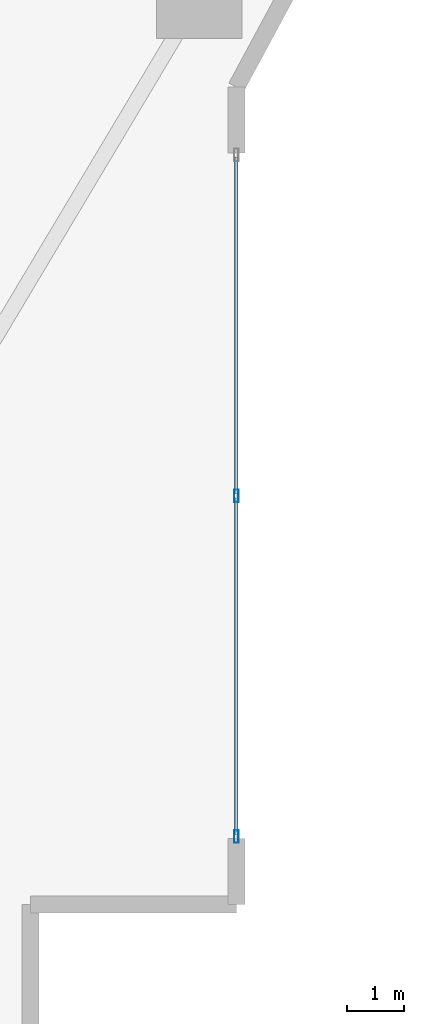
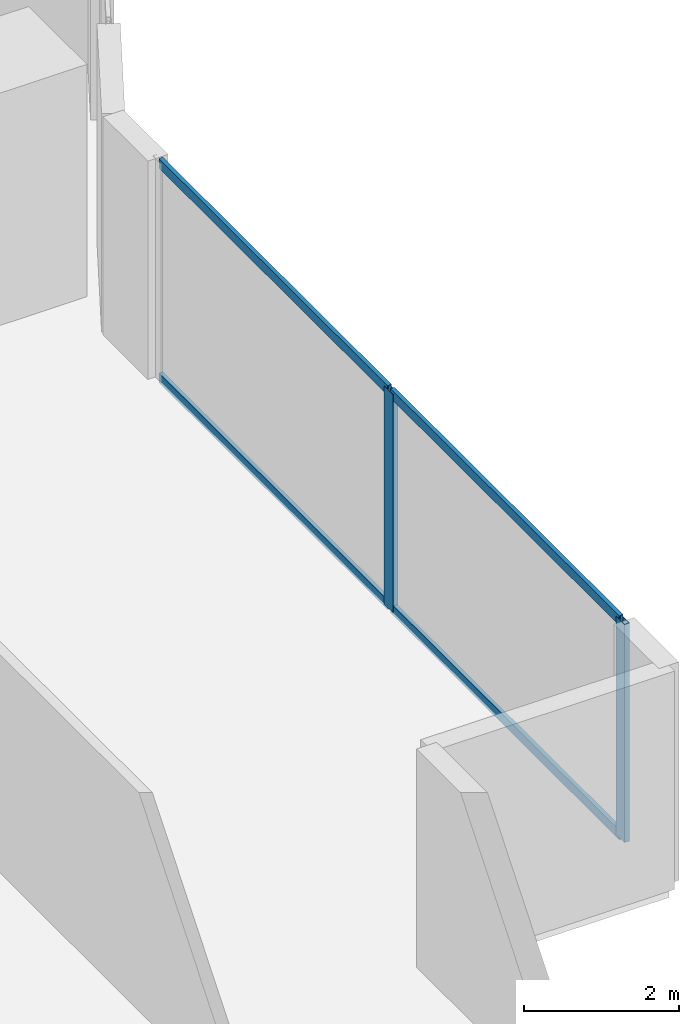
# One storey, part 10 of 28: 6 members, 1 element without a shape of its own.
"""IFC4 building model written with IfcOpenShell, lengths in metres."""

from ifc_helpers import new_model, si_unit, direction, frame, origin, origin_2d, place, context, subcontext, project, spatial, hollow_rectangle, extrude, material, layer, layer_set, material_profile, profile_set, type_object, element, aggregate, save


model = new_model("IFC4")

# Units and contexts
model_context = context("Model", 3, precision=1e-05, world=origin(), true_north=direction((0.0, 1.0)))
body_context = subcontext(model_context, "Body", "Model", "MODEL_VIEW")
ifc_project = project(units=[si_unit("LENGTHUNIT", "METRE"), si_unit("AREAUNIT", "SQUARE_METRE"), si_unit("VOLUMEUNIT", "CUBIC_METRE"), si_unit("PLANEANGLEUNIT", "RADIAN"), si_unit("MASSUNIT", "GRAM", prefix="KILO")], contexts=[model_context])

# Site, building, storey
site_placement = place(None, origin())
site = spatial("IfcSite", under=ifc_project, at=site_placement, CompositionType="ELEMENT")
building_placement = place(site_placement, origin())
building = spatial("IfcBuilding", under=site, at=building_placement, Name="Zuhayl Quay Hotel", CompositionType="ELEMENT")
storey_placement = place(building_placement, frame((0.0, 0.0, 71.39990234375)))
storey = spatial("IfcBuildingStorey", under=building, at=storey_placement, Name="L17", CompositionType="ELEMENT", Elevation=71.39990234375)

# Curtain wall, members
ifc_material_1 = material(Name="Anodised Aluminium 6063-T6", Category="aluminium")
ifc_layer = layer(ifc_material_1, 0.18994140625, Name="Anodised Aluminium 6063-T6", Category="aluminium")
ifc_layer_set = layer_set([ifc_layer], Name="Anodised Aluminium 6063-T6")
curtain_wall_type = type_object("IfcCurtainWallType", Name="CW_SYS_Z1", PredefinedType="USERDEFINED", material=ifc_layer_set)
curtain_wall_placement = place(storey_placement, origin())
curtain_wall = element("IfcCurtainWall", 1, at=curtain_wall_placement, inside=storey, type_object=curtain_wall_type, Name="L17 Curtain Wall ENV_L17_E14_CW1", ObjectType="UNITISED CURTAIN WALL", PredefinedType="USERDEFINED")
ifc_material_2 = material(Name="Black-anodised aluminium 6063-T6", Category="aluminium")
ifc_material_profile_1 = material_profile(ifc_material_2, hollow_rectangle(XDim=0.074951171875, YDim=0.219970703125, WallThickness=0.00390625, at=origin_2d()), Name="ALU220X75")
ifc_profile_set_1 = profile_set([ifc_material_profile_1], Name="Black-anodised aluminium 6063-T6")
member_type_1 = type_object("IfcMemberType", Name="MB_CW_MUL_220", PredefinedType="MULLION", material=ifc_profile_set_1)
member_1_placement = place(storey_placement, frame((25.699951171875, -12.35009765625, 0.0), z_axis=(0.0, 0.0, 1.0), x_axis=(1.0, 0.0, 0.0)))
member_1 = element("IfcMember", 2, at=member_1_placement, type_object=member_type_1, Name="CW-Z1 mullion 2", PredefinedType="MULLION", context=body_context, shape_type="SweptSolid", body=[
    extrude(hollow_rectangle(XDim=0.074951171875, YDim=0.219970703125, WallThickness=0.00390625, at=origin_2d()), origin(), (0.0, 0.0, 1.0), 3.43017578125),
])
member_2_placement = place(storey_placement, frame((25.699951171875, -18.3125, 0.0), z_axis=(0.0, 0.0, 1.0), x_axis=(1.0, 0.0, 0.0)))
member_2 = element("IfcMember", 3, at=member_2_placement, type_object=member_type_1, Name="CW-Z1 mullion 3", PredefinedType="MULLION", context=body_context, shape_type="SweptSolid", body=[
    extrude(hollow_rectangle(XDim=0.074951171875, YDim=0.219970703125, WallThickness=0.00390625, at=origin_2d()), origin(), (0.0, 0.0, 1.0), 3.43017578125),
])
ifc_material_profile_2 = material_profile(ifc_material_2, hollow_rectangle(XDim=0.06005859375, YDim=0.14990234375, WallThickness=0.00341796875, at=origin_2d()), Name="ALU150X60")
ifc_profile_set_2 = profile_set([ifc_material_profile_2], Name="Black-anodised aluminium 6063-T6")
member_type_2 = type_object("IfcMemberType", Name="MB_CW_TRN_150", PredefinedType="USERDEFINED", material=ifc_profile_set_2)
member_3_placement = place(storey_placement, frame((25.699951171875, -6.425048828125, 0.030029296875), z_axis=(0.0, -1.0, 0.0), x_axis=(1.0, 0.0, 0.0)))
member_3 = element("IfcMember", 4, at=member_3_placement, type_object=member_type_2, Name="CW-Z1 transom 1.1", ObjectType="TRANSOM", PredefinedType="USERDEFINED", context=body_context, shape_type="SweptSolid", body=[
    extrude(hollow_rectangle(XDim=0.06005859375, YDim=0.14990234375, WallThickness=0.00341796875, at=origin_2d()), origin(), (0.0, 0.0, 1.0), 5.887451171875),
])
member_4_placement = place(storey_placement, frame((25.699951171875, -6.425048828125, 3.400146484375), z_axis=(0.0, -1.0, 0.0), x_axis=(1.0, 0.0, 0.0)))
member_4 = element("IfcMember", 5, at=member_4_placement, type_object=member_type_2, Name="CW-Z1 transom 1.2", ObjectType="TRANSOM", PredefinedType="USERDEFINED", context=body_context, shape_type="SweptSolid", body=[
    extrude(hollow_rectangle(XDim=0.06005859375, YDim=0.14990234375, WallThickness=0.00341796875, at=origin_2d()), origin(), (0.0, 0.0, 1.0), 5.887451171875),
])
member_5_placement = place(storey_placement, frame((25.699951171875, -12.387451171875, 0.030029296875), z_axis=(0.0, -1.0, 0.0), x_axis=(1.0, 0.0, 0.0)))
member_5 = element("IfcMember", 6, at=member_5_placement, type_object=member_type_2, Name="CW-Z1 transom 2.1", ObjectType="TRANSOM", PredefinedType="USERDEFINED", context=body_context, shape_type="SweptSolid", body=[
    extrude(hollow_rectangle(XDim=0.06005859375, YDim=0.14990234375, WallThickness=0.00341796875, at=origin_2d()), origin(), (0.0, 0.0, 1.0), 5.887451171875),
])
member_6_placement = place(storey_placement, frame((25.699951171875, -12.387451171875, 3.400146484375), z_axis=(0.0, -1.0, 0.0), x_axis=(1.0, 0.0, 0.0)))
member_6 = element("IfcMember", 7, at=member_6_placement, type_object=member_type_2, Name="CW-Z1 transom 2.2", ObjectType="TRANSOM", PredefinedType="USERDEFINED", context=body_context, shape_type="SweptSolid", body=[
    extrude(hollow_rectangle(XDim=0.06005859375, YDim=0.14990234375, WallThickness=0.00341796875, at=origin_2d()), origin(), (0.0, 0.0, 1.0), 5.887451171875),
])
aggregate(curtain_wall, [member_1, member_2, member_3, member_4, member_5, member_6])

save(model, "model.ifc")
